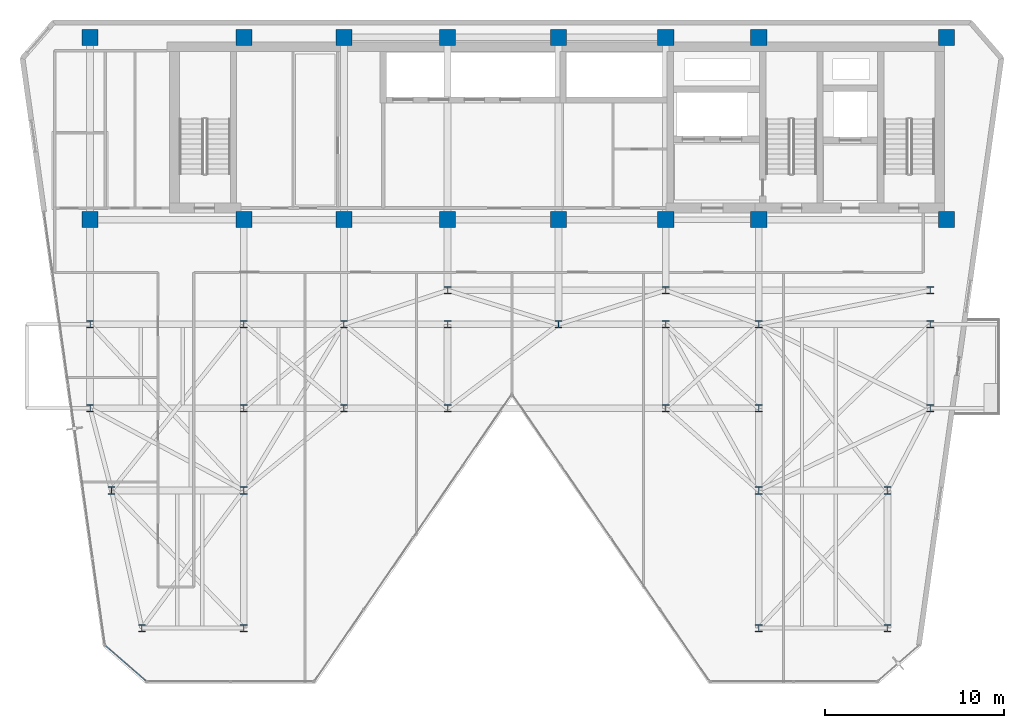
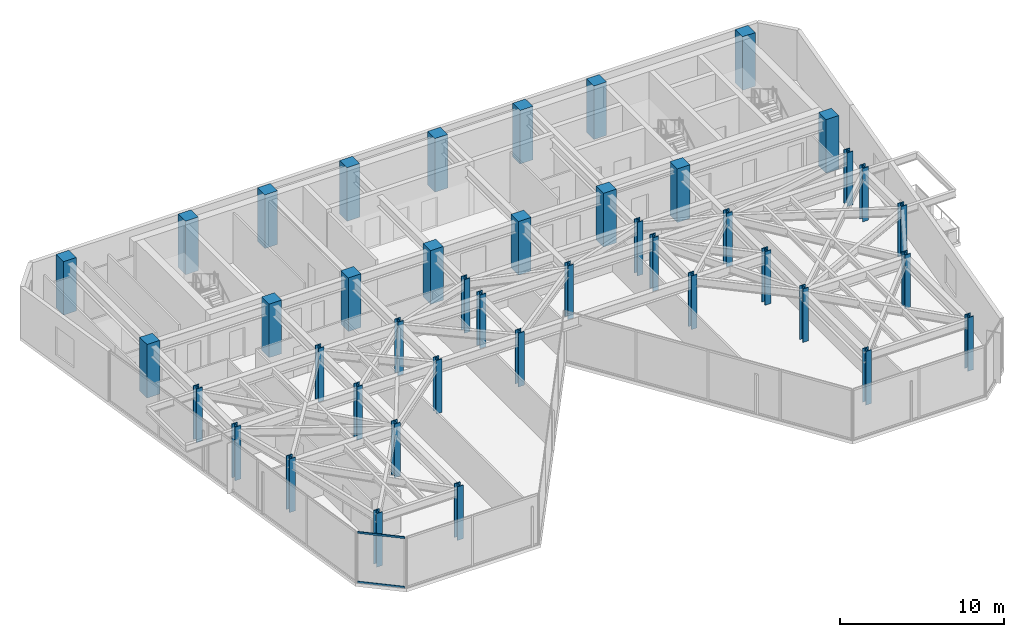
# One storey, part 1 of 27: 42 columns, 2 members, 1 element without a shape of its own.
"""IFC4 building model written with IfcOpenShell, lengths in metres."""

from ifc_helpers import new_model, si_unit, direction, frame, origin, origin_2d, place, context, subcontext, project, spatial, rectangle, hollow_rectangle, i_section, extrude, material, layer, layer_set, material_profile, profile_set, type_object, element, aggregate, save


model = new_model("IFC4")

# Units and contexts
model_context = context("Model", 3, precision=1e-05, world=origin(), true_north=direction((0.0, 1.0)))
body_context = subcontext(model_context, "Body", "Model", "MODEL_VIEW")
ifc_project = project(units=[si_unit("LENGTHUNIT", "METRE"), si_unit("AREAUNIT", "SQUARE_METRE"), si_unit("VOLUMEUNIT", "CUBIC_METRE"), si_unit("PLANEANGLEUNIT", "RADIAN"), si_unit("MASSUNIT", "GRAM", prefix="KILO")], contexts=[model_context])

# Site, building, storey
site_placement = place(None, origin())
site = spatial("IfcSite", under=ifc_project, at=site_placement, CompositionType="ELEMENT")
building_placement = place(site_placement, origin())
building = spatial("IfcBuilding", under=site, at=building_placement, Name="Kravanh Interchange Tower", CompositionType="ELEMENT")
storey_placement = place(building_placement, frame((0.0, 0.0, 188.5)))
storey = spatial("IfcBuildingStorey", under=building, at=storey_placement, Name="L45", CompositionType="ELEMENT", Elevation=188.5)

# Columns
ifc_material_1 = material(Name="Concrete C60/75", Category="concrete")
ifc_material_profile_1 = material_profile(ifc_material_1, rectangle(XDim=0.89990234375, YDim=0.89990234375, at=origin_2d()), Name="RC900X900")
ifc_profile_set_1 = profile_set([ifc_material_profile_1], Name="Concrete C60/75")
column_type_1 = type_object("IfcColumnType", Name="Column RC900X900 Concrete C60/75", PredefinedType="COLUMN", material=ifc_profile_set_1)
for number, where, z_axis, x_axis, name in (
    (1, (66.5, 47.550048828125, 0.0), (0.0, 0.0, 1.0), (1.0, 0.0, 0.0), "L45 Column CS01"),
    (2, (56.0, 47.550048828125, 0.0), (0.0, 0.0, 1.0), (1.0, 0.0, 0.0), "L45 Column CS02"),
    (3, (66.5, 37.35009765625, 0.0), (0.0, 0.0, 1.0), (1.0, 0.0, 0.0), "L45 Column CS03"),
    (4, (56.0, 37.35009765625, 0.0), (0.0, 0.0, 1.0), (1.0, 0.0, 0.0), "L45 Column CS04"),
    (5, (50.800048828125, 47.550048828125, 0.0), (0.0, 0.0, 1.0), (1.0, 0.0, 0.0), "L45 Column CS05"),
    (6, (50.800048828125, 37.35009765625, 0.0), (0.0, 0.0, 1.0), (1.0, 0.0, 0.0), "L45 Column CS06"),
    (7, (44.800048828125, 37.35009765625, 0.0), (0.0, 0.0, 1.0), (1.0, 0.0, 0.0), "L45 Column CS07"),
    (8, (44.800048828125, 47.550048828125, 0.0), (0.0, 0.0, 1.0), (1.0, 0.0, 0.0), "L45 Column CS08"),
    (9, (38.60009765625, 37.35009765625, 0.0), (0.0, 0.0, 1.0), (1.0, 0.0, 0.0), "L45 Column CS09"),
    (10, (38.60009765625, 47.550048828125, 0.0), (0.0, 0.0, 1.0), (1.0, 0.0, 0.0), "L45 Column CS10"),
    (11, (32.800048828125, 37.35009765625, 0.0), (0.0, 0.0, 1.0), (1.0, 0.0, 0.0), "L45 Column CS11"),
    (12, (32.800048828125, 47.550048828125, 0.0), (0.0, 0.0, 1.0), (1.0, 0.0, 0.0), "L45 Column CS12"),
    (13, (27.199951171875, 37.35009765625, 0.0), (0.0, 0.0, 1.0), (1.0, 0.0, 0.0), "L45 Column CS13"),
    (14, (27.199951171875, 47.550048828125, 0.0), (0.0, 0.0, 1.0), (1.0, 0.0, 0.0), "L45 Column CS14"),
    (15, (18.60009765625, 37.35009765625, 0.0), (0.0, 0.0, 1.0), (1.0, 0.0, 0.0), "L45 Column CS17"),
    (16, (18.60009765625, 47.550048828125, 0.0), (0.0, 0.0, 1.0), (1.0, 0.0, 0.0), "L45 Column CS18"),
):
    element("IfcColumn", number, at=place(storey_placement, frame(where, z_axis=z_axis, x_axis=x_axis)), inside=storey, type_object=column_type_1, Name=name, PredefinedType="COLUMN", context=body_context, shape_type="SweptSolid", body=[
        extrude(rectangle(XDim=0.89990234375, YDim=0.89990234375, at=origin_2d()), origin(), (0.0, 0.0, 1.0), 4.0),
    ])
ifc_material_2 = material(Name="Structural Steel S355", Category="steel")
ifc_material_profile_2 = material_profile(ifc_material_2, i_section(OverallWidth=0.408935546875, OverallDepth=0.425048828125, WebThickness=0.03271484375, FlangeThickness=0.052490234375, FilletRadius=0.030029296875, at=origin_2d()), Name="W14X283")
ifc_profile_set_2 = profile_set([ifc_material_profile_2], Name="Structural Steel S355")
column_type_2 = type_object("IfcColumnType", Name="Column W14X283 Structural Steel S355", PredefinedType="COLUMN", material=ifc_profile_set_2)
for number, where, z_axis, x_axis, name in (
    (17, (21.5, 14.5, 0.0), (0.0, 0.0, 1.0), (1.0, 0.0, 0.0), "L45 Column CZ3_1"),
    (18, (18.60009765625, 26.800048828125, 0.0), (0.0, 0.0, 1.0), (1.0, 0.0, 0.0), "L45 Column CZ3_11"),
    (19, (27.199951171875, 26.800048828125, 0.0), (0.0, 0.0, 1.0), (1.0, 0.0, 0.0), "L45 Column CZ3_12"),
    (20, (32.800048828125, 26.800048828125, 0.0), (0.0, 0.0, 1.0), (1.0, 0.0, 0.0), "L45 Column CZ3_13"),
    (21, (38.60009765625, 26.800048828125, 0.0), (0.0, 0.0, 1.0), (1.0, 0.0, 0.0), "L45 Column CZ3_13B"),
    (22, (50.800048828125, 26.800048828125, 0.0), (0.0, 0.0, 1.0), (1.0, 0.0, 0.0), "L45 Column CZ3_14"),
    (23, (56.0, 26.800048828125, 0.0), (0.0, 0.0, 1.0), (1.0, 0.0, 0.0), "L45 Column CZ3_15"),
    (24, (65.60009765625, 26.800048828125, 0.0), (0.0, 0.0, 1.0), (1.0, 0.0, 0.0), "L45 Column CZ3_16"),
    (25, (18.60009765625, 31.5, 0.0), (0.0, 0.0, 1.0), (1.0, 0.0, 0.0), "L45 Column CZ3_17"),
    (26, (27.199951171875, 31.5, 0.0), (0.0, 0.0, 1.0), (1.0, 0.0, 0.0), "L45 Column CZ3_18"),
    (27, (32.800048828125, 31.5, 0.0), (0.0, 0.0, 1.0), (1.0, 0.0, 0.0), "L45 Column CZ3_19"),
    (28, (27.199951171875, 14.5, 0.0), (0.0, 0.0, 1.0), (1.0, 0.0, 0.0), "L45 Column CZ3_2"),
    (29, (38.60009765625, 31.5, 0.0), (0.0, 0.0, 1.0), (1.0, 0.0, 0.0), "L45 Column CZ3_20"),
    (30, (44.800048828125, 31.5, 0.0), (0.0, 0.0, 1.0), (1.0, 0.0, 0.0), "L45 Column CZ3_21"),
    (31, (50.800048828125, 31.5, 0.0), (0.0, 0.0, 1.0), (1.0, 0.0, 0.0), "L45 Column CZ3_22"),
    (32, (56.0, 31.5, 0.0), (0.0, 0.0, 1.0), (1.0, 0.0, 0.0), "L45 Column CZ3_23"),
    (33, (65.60009765625, 31.5, 0.0), (0.0, 0.0, 1.0), (1.0, 0.0, 0.0), "L45 Column CZ3_24"),
    (34, (56.0, 14.5, 0.0), (0.0, 0.0, 1.0), (1.0, 0.0, 0.0), "L45 Column CZ3_3"),
    (35, (63.199951171875, 14.5, 0.0), (0.0, 0.0, 1.0), (1.0, 0.0, 0.0), "L45 Column CZ3_4"),
    (36, (19.800048828125, 22.199951171875, 0.0), (0.0, 0.0, 1.0), (1.0, 0.0, 0.0), "L45 Column CZ3_5"),
    (37, (27.199951171875, 22.199951171875, 0.0), (0.0, 0.0, 1.0), (1.0, 0.0, 0.0), "L45 Column CZ3_6"),
    (38, (56.0, 22.199951171875, 0.0), (0.0, 0.0, 1.0), (1.0, 0.0, 0.0), "L45 Column CZ3_8"),
    (39, (63.199951171875, 22.199951171875, 0.0), (0.0, 0.0, 1.0), (1.0, 0.0, 0.0), "L45 Column CZ3_9"),
    (40, (38.60009765625, 33.39990234375, 0.0), (0.0, 0.0, 1.0), (1.0, 0.0, 0.0), "L45 Column CZ3_M1"),
    (41, (50.800048828125, 33.39990234375, 0.0), (0.0, 0.0, 1.0), (1.0, 0.0, 0.0), "L45 Column CZ3_M2"),
    (42, (65.60009765625, 33.39990234375, 0.0), (0.0, 0.0, 1.0), (1.0, 0.0, 0.0), "L45 Column CZ3_M3"),
):
    element("IfcColumn", number, at=place(storey_placement, frame(where, z_axis=z_axis, x_axis=x_axis)), inside=storey, type_object=column_type_2, Name=name, PredefinedType="COLUMN", context=body_context, shape_type="SweptSolid", body=[
        extrude(i_section(OverallWidth=0.408935546875, OverallDepth=0.425048828125, WebThickness=0.03271484375, FlangeThickness=0.052490234375, FilletRadius=0.030029296875, at=origin_2d()), origin(), (0.0, 0.0, 1.0), 4.0),
    ])

# Curtain wall, members
ifc_material_3 = material(Name="Anodised Bronze Aluminium", Category="aluminium")
ifc_layer = layer(ifc_material_3, 0.179931640625)
ifc_layer_set = layer_set([ifc_layer], Name="Unitised Curtain Wall System CW-Z3 Upper Office")
curtain_wall_type = type_object("IfcCurtainWallType", Name="Unitised Curtain Wall System CW-Z3 Upper Office", PredefinedType="NOTDEFINED", material=ifc_layer_set)
curtain_wall_placement = place(storey_placement, origin())
curtain_wall = element("IfcCurtainWall", 43, at=curtain_wall_placement, inside=storey, type_object=curtain_wall_type, Name="L45 Unitised Curtain Wall CW-L45-07", PredefinedType="NOTDEFINED")
ifc_material_4 = material(Name="Anodised Bronze Aluminium", Category="aluminium")
ifc_material_profile_3 = material_profile(ifc_material_4, hollow_rectangle(XDim=0.06005859375, YDim=0.139892578125, WallThickness=0.00390625, at=origin_2d()), Name="ALU60X140X4")
ifc_profile_set_3 = profile_set([ifc_material_profile_3], Name="Anodised Bronze Aluminium")
member_type = type_object("IfcMemberType", Name="Curtain Wall Transom ALU60X140X4 Bronze", PredefinedType="USERDEFINED", material=ifc_profile_set_3)
member_1_placement = place(storey_placement, frame((21.713623046875, 11.559326171875, 0.030029296875), z_axis=(-0.754708504141, 0.656060266879, 0.0), x_axis=(-0.656060266879, -0.754708504141, 0.0)))
member_1 = element("IfcMember", 44, at=member_1_placement, type_object=member_type, Name="CW-Z3 transom 1.1", ObjectType="TRANSOM", PredefinedType="USERDEFINED", context=body_context, shape_type="SweptSolid", body=[
    extrude(hollow_rectangle(XDim=0.06005859375, YDim=0.139892578125, WallThickness=0.00390625, at=origin_2d()), origin(), (0.0, 0.0, 1.0), 2.9599609375),
])
member_2_placement = place(storey_placement, frame((21.713623046875, 11.559326171875, 3.72509765625), z_axis=(-0.754708504141, 0.656060266879, 0.0), x_axis=(-0.656060266879, -0.754708504141, 0.0)))
member_2 = element("IfcMember", 45, at=member_2_placement, type_object=member_type, Name="CW-Z3 transom 1.2", ObjectType="TRANSOM", PredefinedType="USERDEFINED", context=body_context, shape_type="SweptSolid", body=[
    extrude(hollow_rectangle(XDim=0.06005859375, YDim=0.139892578125, WallThickness=0.00390625, at=origin_2d()), origin(), (0.0, 0.0, 1.0), 2.9599609375),
])
aggregate(curtain_wall, [member_1, member_2])

save(model, "model.ifc")
